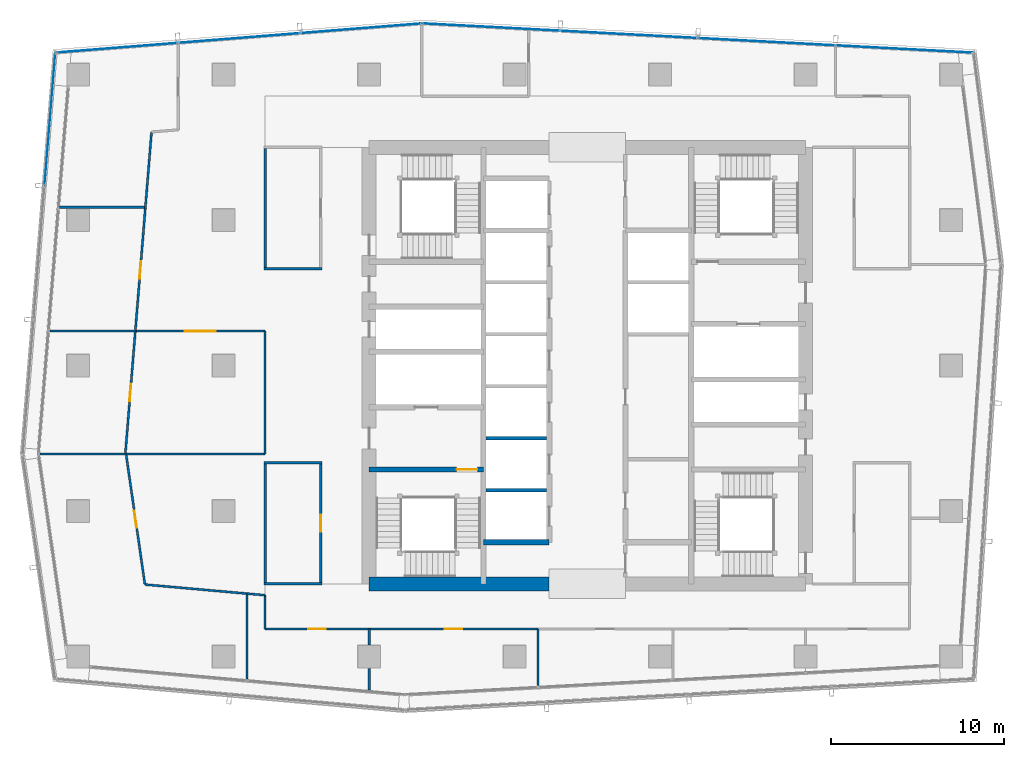
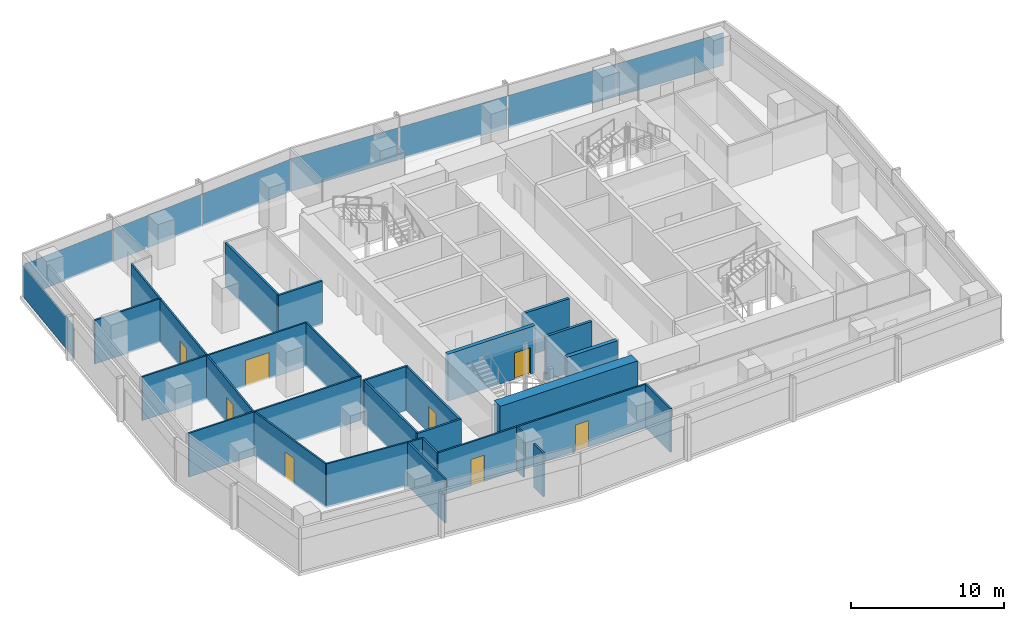
# One storey, part 22 of 30: 30 walls, 8 doors, 8 plates, 8 openings, 3 elements without a shape of their own.
"""IFC4 building model written with IfcOpenShell, lengths in metres."""

from ifc_helpers import new_model, si_unit, direction, frame, frame_2d, origin, origin_2d, place, context, subcontext, project, spatial, rectangle, extrude, material, layer, layer_set, type_object, element, fill, aggregate, save


model = new_model("IFC4")

# Units and contexts
model_context = context("Model", 3, precision=1e-05, world=origin(), true_north=direction((0.0, 1.0)))
body_context = subcontext(model_context, "Body", "Model", "MODEL_VIEW")
ifc_project = project(units=[si_unit("LENGTHUNIT", "METRE"), si_unit("AREAUNIT", "SQUARE_METRE"), si_unit("VOLUMEUNIT", "CUBIC_METRE"), si_unit("PLANEANGLEUNIT", "RADIAN"), si_unit("MASSUNIT", "GRAM", prefix="KILO")], contexts=[model_context])

# Site, building, storey
site_placement = place(None, origin())
site = spatial("IfcSite", under=ifc_project, at=site_placement, CompositionType="ELEMENT")
building_placement = place(site_placement, origin())
building = spatial("IfcBuilding", under=site, at=building_placement, Name="Rekha Terrace Tower", CompositionType="ELEMENT")
storey_placement = place(building_placement, frame((0.0, 0.0, 265.10009765625)))
storey = spatial("IfcBuildingStorey", under=building, at=storey_placement, Name="L67", CompositionType="ELEMENT", Elevation=265.10009765625)

# Curtain wall, plate
ifc_material_1 = material(Name="Aluminium framing", Category="aluminium")
curtain_wall_type_1 = type_object("IfcCurtainWallType", Name="CW2 double skin outer glazing", PredefinedType="USERDEFINED", material=ifc_material_1)
curtain_wall_1_placement = place(storey_placement, origin())
curtain_wall_1 = element("IfcCurtainWall", 1, at=curtain_wall_1_placement, inside=storey, type_object=curtain_wall_type_1, Name="CW2 double skin outer glazing", ObjectType="DOUBLE SKIN OUTER GLAZING", PredefinedType="USERDEFINED")
ifc_material_2 = material(Name="Toughened single glazing 12", Category="glass")
ifc_layer_1 = layer(ifc_material_2, 0.011962890625)
ifc_layer_set_1 = layer_set([ifc_layer_1], Name="Toughened single glazing 12")
plate_type_1 = type_object("IfcPlateType", Name="CW2 jumbo vision panel, toughened single glazing 12", PredefinedType="CURTAIN_PANEL", material=ifc_layer_set_1)
plate_1_placement = place(storey_placement, frame((6.7822265625, 47.813720703125, -0.000244140625), z_axis=(0.0, 0.0, 1.0), x_axis=(-0.081067906816, -0.996708580521, 0.0)))
plate_1 = element("IfcPlate", 2, at=plate_1_placement, type_object=plate_type_1, Name="CW2 panel 1.1", PredefinedType="CURTAIN_PANEL", context=body_context, shape_type="SweptSolid", body=[
    extrude(rectangle(XDim=7.640869140625, YDim=0.011962890625, at=origin_2d()), origin(), (0.0, 0.0, 1.0), 2.60009765625),
])
aggregate(curtain_wall_1, [plate_1])

# Curtain wall, plates
curtain_wall_type_2 = type_object("IfcCurtainWallType", Name="CW3 north unitised glazing", PredefinedType="USERDEFINED", material=ifc_material_1)
curtain_wall_2_placement = place(storey_placement, origin())
curtain_wall_2 = element("IfcCurtainWall", 3, at=curtain_wall_2_placement, inside=storey, type_object=curtain_wall_type_2, Name="CW3 unitised curtain wall", ObjectType="UNITISED CURTAIN WALL", PredefinedType="USERDEFINED")
ifc_material_3 = material(Name="Double-glazed unit 28", Category="glass")
ifc_layer_2 = layer(ifc_material_3, 0.028076171875)
ifc_layer_set_2 = layer_set([ifc_layer_2], Name="Double-glazed unit 28")
plate_type_2 = type_object("IfcPlateType", Name="CW3 jumbo vision panel, double-glazed unit 28", PredefinedType="CURTAIN_PANEL", material=ifc_layer_set_2)
plate_2_placement = place(storey_placement, frame((56.080322265625, 51.871337890625, -0.000244140625), z_axis=(0.0, 0.0, 1.0), x_axis=(-0.998590089005, 0.053083275524, 0.0)))
plate_2 = element("IfcPlate", 4, at=plate_2_placement, type_object=plate_type_2, Name="CW3 panel 1.1", PredefinedType="CURTAIN_PANEL", context=body_context, shape_type="SweptSolid", body=[
    extrude(rectangle(XDim=7.856201171875, YDim=0.028076171875, at=origin_2d()), origin(), (0.0, 0.0, 1.0), 2.60009765625),
])
plate_3_placement = place(storey_placement, frame((48.14794921875, 52.29296875, -0.000244140625), z_axis=(0.0, 0.0, 1.0), x_axis=(-0.998590089005, 0.053083275524, 0.0)))
plate_3 = element("IfcPlate", 5, at=plate_3_placement, type_object=plate_type_2, Name="CW3 panel 2.1", PredefinedType="CURTAIN_PANEL", context=body_context, shape_type="SweptSolid", body=[
    extrude(rectangle(XDim=7.891357421875, YDim=0.028076171875, at=origin_2d()), origin(), (0.0, 0.0, 1.0), 2.60009765625),
])
plate_4_placement = place(storey_placement, frame((40.19775390625, 52.715576171875, -0.000244140625), z_axis=(0.0, 0.0, 1.0), x_axis=(-0.998590089005, 0.053083275524, 0.0)))
plate_4 = element("IfcPlate", 6, at=plate_4_placement, type_object=plate_type_2, Name="CW3 panel 3.1", PredefinedType="CURTAIN_PANEL", context=body_context, shape_type="SweptSolid", body=[
    extrude(rectangle(XDim=7.891357421875, YDim=0.028076171875, at=origin_2d()), origin(), (0.0, 0.0, 1.0), 2.60009765625),
])
plate_5_placement = place(storey_placement, frame((32.230224609375, 53.13916015625, -0.000244140625), z_axis=(0.0, 0.0, 1.0), x_axis=(-0.998590089005, 0.053083275524, 0.0)))
plate_5 = element("IfcPlate", 7, at=plate_5_placement, type_object=plate_type_2, Name="CW3 panel 4.1", PredefinedType="CURTAIN_PANEL", context=body_context, shape_type="SweptSolid", body=[
    extrude(rectangle(XDim=7.92626953125, YDim=0.028076171875, at=origin_2d()), origin(), (0.0, 0.0, 1.0), 2.60009765625),
])
aggregate(curtain_wall_2, [plate_2, plate_3, plate_4, plate_5])

curtain_wall_3_placement = place(storey_placement, origin())
curtain_wall_3 = element("IfcCurtainWall", 8, at=curtain_wall_3_placement, inside=storey, type_object=curtain_wall_type_2, Name="CW3 unitised curtain wall", ObjectType="UNITISED CURTAIN WALL", PredefinedType="USERDEFINED")
plate_6_placement = place(storey_placement, frame((24.732421875, 53.0673828125, -0.000244140625), z_axis=(0.0, 0.0, 1.0), x_axis=(-0.996836058026, -0.07948505154, 0.0)))
plate_6 = element("IfcPlate", 9, at=plate_6_placement, type_object=plate_type_2, Name="CW3 panel 1.1", PredefinedType="CURTAIN_PANEL", context=body_context, shape_type="SweptSolid", body=[
    extrude(rectangle(XDim=6.963134765625, YDim=0.028076171875, at=origin_2d()), origin(), (0.0, 0.0, 1.0), 2.60009765625),
])
plate_7_placement = place(storey_placement, frame((17.7041015625, 52.5068359375, -0.000244140625), z_axis=(0.0, 0.0, 1.0), x_axis=(-0.996836058026, -0.07948505154, 0.0)))
plate_7 = element("IfcPlate", 10, at=plate_7_placement, type_object=plate_type_2, Name="CW3 panel 2.1", PredefinedType="CURTAIN_PANEL", context=body_context, shape_type="SweptSolid", body=[
    extrude(rectangle(XDim=6.998046875, YDim=0.028076171875, at=origin_2d()), origin(), (0.0, 0.0, 1.0), 2.60009765625),
])
plate_8_placement = place(storey_placement, frame((10.67578125, 51.946533203125, -0.000244140625), z_axis=(0.0, 0.0, 1.0), x_axis=(-0.996836058026, -0.07948505154, 0.0)))
plate_8 = element("IfcPlate", 11, at=plate_8_placement, type_object=plate_type_2, Name="CW3 panel 3.1", PredefinedType="CURTAIN_PANEL", context=body_context, shape_type="SweptSolid", body=[
    extrude(rectangle(XDim=6.963134765625, YDim=0.028076171875, at=origin_2d()), origin(), (0.0, 0.0, 1.0), 2.60009765625),
])
aggregate(curtain_wall_3, [plate_6, plate_7, plate_8])

# Wall
ifc_material_4 = material(Name="Concrete M60", Category="concrete")
ifc_layer_3 = layer(ifc_material_4, 0.300048828125)
ifc_layer_set_3 = layer_set([ifc_layer_3], Name="Concrete M60")
wall_type_1 = type_object("IfcWallType", Name="CI5 300 core internal shear wall", PredefinedType="SHEAR", material=ifc_layer_set_3)
wall_1_placement = place(storey_placement, frame((31.800048828125, 23.39990234375, 0.0), z_axis=(0.0, 0.0, 1.0), x_axis=(1.0, 0.0, 0.0)))
element("IfcWall", 12, at=wall_1_placement, inside=storey, type_object=wall_type_1, Name="Core wall Y234W L67", PredefinedType="SHEAR", context=body_context, shape_type="SweptSolid", body=[
    extrude(rectangle(XDim=3.800048828125, YDim=0.300048828125, at=frame_2d((1.89990234375, 0.0))), origin(), (0.0, 0.0, 1.0), 3.75),
])

# Wall, opening, door
wall_2_placement = place(storey_placement, frame((25.199951171875, 27.60009765625, 0.0), z_axis=(0.0, 0.0, 1.0), x_axis=(1.0, 0.0, 0.0)))
wall_2 = element("IfcWall", 13, at=wall_2_placement, inside=storey, type_object=wall_type_1, Name="Core wall Y276W L67", PredefinedType="SHEAR", context=body_context, shape_type="SweptSolid", body=[
    extrude(rectangle(XDim=6.60009765625, YDim=0.300048828125, at=frame_2d((3.300048828125, 0.0))), origin(), (0.0, 0.0, 1.0), 3.75),
])
opening_1_placement = place(wall_2_placement, frame((5.050048828125, 0.0, 0.0)))
opening_1 = element("IfcOpeningElement", 14, at=opening_1_placement, cuts=wall_2, Name="Opening D1", PredefinedType="OPENING", context=body_context, shape_type="SweptSolid", body=[
    extrude(rectangle(XDim=1.199951171875, YDim=2.10009765625, at=frame_2d((0.60009765625, 1.050048828125))), frame((0.0, 0.159912109375, 0.0), z_axis=(0.0, -1.0, 0.0), x_axis=(1.0, 0.0, 0.0)), (0.0, 0.0, 1.0), 0.320068359375),
])
ifc_material_5 = material(Name="Steel fire door", Category="steel")
door_type_1 = type_object("IfcDoorType", Name="D1 1200x2100 stair fire door", OperationType="SINGLE_SWING_RIGHT", PredefinedType="DOOR", material=ifc_material_5)
door_1_placement = place(opening_1_placement, origin())
door_1 = element("IfcDoor", 15, at=door_1_placement, inside=storey, type_object=door_type_1, Name="Stair ST1 door L67", OperationType="SINGLE_SWING_RIGHT", OverallHeight=2.10009765625, OverallWidth=1.199951171875, PredefinedType="DOOR", context=body_context, shape_type="SweptSolid", body=[
    extrude(rectangle(XDim=1.199951171875, YDim=2.10009765625, at=frame_2d((0.60009765625, 1.050048828125))), frame((0.0, 0.02490234375, 0.0), z_axis=(0.0, -1.0, 0.0), x_axis=(1.0, 0.0, 0.0)), (0.0, 0.0, 1.0), 0.050048828125),
])
fill(opening_1, door_1)

# Walls
ifc_layer_4 = layer(ifc_material_4, 0.800048828125)
ifc_layer_set_4 = layer_set([ifc_layer_4], Name="Concrete M60")
wall_type_2 = type_object("IfcWallType", Name="SW5 800 core outer shear wall", PredefinedType="SHEAR", material=ifc_layer_set_4)
wall_3_placement = place(storey_placement, frame((25.199951171875, 21.0, 0.0), z_axis=(0.0, 0.0, 1.0), x_axis=(1.0, 0.0, 0.0)))
element("IfcWall", 16, at=wall_3_placement, inside=storey, type_object=wall_type_2, Name="Core wall S1 L67", PredefinedType="SHEAR", context=body_context, shape_type="SweptSolid", body=[
    extrude(rectangle(XDim=10.400146484375, YDim=0.800048828125, at=frame_2d((5.2001953125, 0.0))), origin(), (0.0, 0.0, 1.0), 3.75),
])
ifc_material_6 = material(Name="Concrete block masonry, 1 hour", Category="masonry")
ifc_layer_5 = layer(ifc_material_6, 0.14990234375)
ifc_layer_set_5 = layer_set([ifc_layer_5], Name="Concrete block masonry, 1 hour")
wall_type_3 = type_object("IfcWallType", Name="WP2 150 tenancy partition", PredefinedType="PARTITIONING", material=ifc_layer_set_5)
wall_4_placement = place(storey_placement, frame((19.125, 39.199951171875, 0.0), z_axis=(0.0, 0.0, 1.0), x_axis=(1.0, 0.0, 0.0)))
element("IfcWall", 17, at=wall_4_placement, inside=storey, type_object=wall_type_3, Name="Women's WC wall L67", PredefinedType="PARTITIONING", context=body_context, shape_type="SweptSolid", body=[
    extrude(rectangle(XDim=3.35009765625, YDim=0.14990234375, at=frame_2d((1.675048828125, 0.0))), origin(), (0.0, 0.0, 1.0), 3.5),
])
wall_5_placement = place(storey_placement, frame((19.199951171875, 39.27490234375, 0.0), z_axis=(0.0, 0.0, 1.0), x_axis=(0.0, 1.0, 0.0)))
element("IfcWall", 18, at=wall_5_placement, inside=storey, type_object=wall_type_3, Name="Women's WC wall L67", PredefinedType="PARTITIONING", context=body_context, shape_type="SweptSolid", body=[
    extrude(rectangle(XDim=6.85009765625, YDim=0.14990234375, at=frame_2d((3.425048828125, 0.0))), origin(), (0.0, 0.0, 1.0), 3.5),
])
for number, where, z_axis, x_axis, name in (
    (19, (19.125, 21.0, 0.0), (0.0, 0.0, 1.0), (1.0, 0.0, 0.0), "Men's WC wall L67"),
    (20, (19.125, 28.0, 0.0), (0.0, 0.0, 1.0), (1.0, 0.0, 0.0), "Men's WC wall L67"),
):
    element("IfcWall", number, at=place(storey_placement, frame(where, z_axis=z_axis, x_axis=x_axis)), inside=storey, type_object=wall_type_3, Name=name, PredefinedType="PARTITIONING", context=body_context, shape_type="SweptSolid", body=[
        extrude(rectangle(XDim=3.35009765625, YDim=0.14990234375, at=frame_2d((1.675048828125, 0.0))), origin(), (0.0, 0.0, 1.0), 3.5),
    ])
wall_6_placement = place(storey_placement, frame((19.199951171875, 21.074951171875, 0.0), z_axis=(0.0, 0.0, 1.0), x_axis=(0.0, 1.0, 0.0)))
element("IfcWall", 21, at=wall_6_placement, inside=storey, type_object=wall_type_3, Name="Men's WC wall L67", PredefinedType="PARTITIONING", context=body_context, shape_type="SweptSolid", body=[
    extrude(rectangle(XDim=6.85009765625, YDim=0.14990234375, at=frame_2d((3.425048828125, 0.0))), origin(), (0.0, 0.0, 1.0), 3.5),
])

# Wall, opening, door
wall_7_placement = place(storey_placement, frame((22.39990234375, 21.074951171875, 0.0), z_axis=(0.0, 0.0, 1.0), x_axis=(0.0, 1.0, 0.0)))
wall_7 = element("IfcWall", 22, at=wall_7_placement, inside=storey, type_object=wall_type_3, Name="Men's WC wall L67", PredefinedType="PARTITIONING", context=body_context, shape_type="SweptSolid", body=[
    extrude(rectangle(XDim=6.85009765625, YDim=0.14990234375, at=frame_2d((3.425048828125, 0.0))), origin(), (0.0, 0.0, 1.0), 3.5),
])
opening_2_placement = place(wall_7_placement, frame((2.925048828125, 0.0, 0.0)))
opening_2 = element("IfcOpeningElement", 23, at=opening_2_placement, cuts=wall_7, Name="Opening D3", PredefinedType="OPENING", context=body_context, shape_type="SweptSolid", body=[
    extrude(rectangle(XDim=1.0, YDim=2.10009765625, at=frame_2d((0.5, 1.050048828125))), frame((0.0, 0.0849609375, 0.0), z_axis=(0.0, -1.0, 0.0), x_axis=(1.0, 0.0, 0.0)), (0.0, 0.0, 1.0), 0.169921875),
])
ifc_material_7 = material(Name="Laminated timber fire door", Category="wood")
door_type_2 = type_object("IfcDoorType", Name="D3 1000x2100 WC door", OperationType="SINGLE_SWING_LEFT", PredefinedType="DOOR", material=ifc_material_7)
door_2_placement = place(opening_2_placement, origin())
door_2 = element("IfcDoor", 24, at=door_2_placement, inside=storey, type_object=door_type_2, Name="Door men's wc L67", OperationType="SINGLE_SWING_LEFT", OverallHeight=2.10009765625, OverallWidth=1.0, PredefinedType="DOOR", context=body_context, shape_type="SweptSolid", body=[
    extrude(rectangle(XDim=1.0, YDim=2.10009765625, at=frame_2d((0.5, 1.050048828125))), frame((0.0, 0.02490234375, 0.0), z_axis=(0.0, -1.0, 0.0), x_axis=(1.0, 0.0, 0.0)), (0.0, 0.0, 1.0), 0.050048828125),
])
fill(opening_2, door_2)

# Walls
ifc_material_8 = material(Name="Two layers of fire-rated gypsum board each side on steel studs, acoustic quilt, 1 hour", Category="steel")
ifc_layer_6 = layer(ifc_material_8, 0.125)
ifc_layer_set_6 = layer_set([ifc_layer_6], Name="Two layers of fire-rated gypsum board each side on steel studs, acoustic quilt, 1 hour")
wall_type_4 = type_object("IfcWallType", Name="WP3 125 office partition", PredefinedType="PARTITIONING", material=ifc_layer_set_6)
wall_8_placement = place(storey_placement, frame((12.22607421875, 42.741943359375, 0.0), z_axis=(0.0, 0.0, 1.0), x_axis=(-1.0, 0.0, 0.0)))
element("IfcWall", 25, at=wall_8_placement, inside=storey, type_object=wall_type_4, Name="Partition L67-05", PredefinedType="PARTITIONING", context=body_context, shape_type="SweptSolid", body=[
    extrude(rectangle(XDim=4.903076171875, YDim=0.125, at=frame_2d((2.45166015625, 0.0))), origin(), (0.0, 0.0, 1.0), 3.5),
])
wall_9_placement = place(storey_placement, frame((12.64306640625, 47.0869140625, 0.0), z_axis=(0.0, 0.0, 1.0), x_axis=(-0.081240627764, -0.996694517092, 0.0)))
element("IfcWall", 26, at=wall_9_placement, inside=storey, type_object=wall_type_4, Name="Partition L67-05", PredefinedType="PARTITIONING", context=body_context, shape_type="SweptSolid", body=[
    extrude(rectangle(XDim=4.444580078125, YDim=0.125, at=frame_2d((2.22216796875, 0.0))), origin(), (0.0, 0.0, 1.0), 3.5),
])

# Wall, opening, door
wall_10_placement = place(storey_placement, frame((12.281982421875, 42.656005859375, 0.0), z_axis=(0.0, 0.0, 1.0), x_axis=(-0.08110159124, -0.996705840205, 0.0)))
wall_10 = element("IfcWall", 27, at=wall_10_placement, inside=storey, type_object=wall_type_4, Name="Partition L67-06", PredefinedType="PARTITIONING", context=body_context, shape_type="SweptSolid", body=[
    extrude(rectangle(XDim=7.08935546875, YDim=0.125, at=frame_2d((3.544677734375, 0.0))), origin(), (0.0, 0.0, 1.0), 3.5),
])
opening_3_placement = place(wall_10_placement, frame((3.044921875, 0.0, 0.0)))
opening_3 = element("IfcOpeningElement", 28, at=opening_3_placement, cuts=wall_10, Name="Opening D9", PredefinedType="OPENING", context=body_context, shape_type="SweptSolid", body=[
    extrude(rectangle(XDim=1.0, YDim=2.10009765625, at=frame_2d((0.5, 1.050048828125))), frame((0.0, 0.072509765625, 0.0), z_axis=(0.0, -1.0, 0.0), x_axis=(1.0, 0.0, 0.0)), (0.0, 0.0, 1.0), 0.14501953125),
])
ifc_material_9 = material(Name="Timber fire door", Category="wood")
door_type_3 = type_object("IfcDoorType", Name="D9 1000x2100 office door", OperationType="SINGLE_SWING_LEFT", PredefinedType="DOOR", material=ifc_material_9)
door_3_placement = place(opening_3_placement, origin())
door_3 = element("IfcDoor", 29, at=door_3_placement, inside=storey, type_object=door_type_3, Name="Door wellness room L67", OperationType="SINGLE_SWING_LEFT", OverallHeight=2.10009765625, OverallWidth=1.0, PredefinedType="DOOR", context=body_context, shape_type="SweptSolid", body=[
    extrude(rectangle(XDim=1.0, YDim=2.10009765625, at=frame_2d((0.5, 1.050048828125))), frame((0.0, 0.02490234375, 0.0), z_axis=(0.0, -1.0, 0.0), x_axis=(1.0, 0.0, 0.0)), (0.0, 0.0, 1.0), 0.050048828125),
])
fill(opening_3, door_3)

# Walls
wall_11_placement = place(storey_placement, frame((11.70703125, 35.590087890625, 0.0), z_axis=(0.0, 0.0, 1.0), x_axis=(-1.0, 0.0, 0.0)))
element("IfcWall", 30, at=wall_11_placement, inside=storey, type_object=wall_type_4, Name="Partition L67-06", PredefinedType="PARTITIONING", context=body_context, shape_type="SweptSolid", body=[
    extrude(rectangle(XDim=4.93603515625, YDim=0.125, at=frame_2d((2.468017578125, 0.0))), origin(), (0.0, 0.0, 1.0), 3.5),
])
wall_12_placement = place(storey_placement, frame((34.947998046875, 15.114013671875, 0.0), z_axis=(0.0, 0.0, 1.0), x_axis=(0.0, 1.0, 0.0)))
element("IfcWall", 31, at=wall_12_placement, inside=storey, type_object=wall_type_4, Name="Partition L67-07", PredefinedType="PARTITIONING", context=body_context, shape_type="SweptSolid", body=[
    extrude(rectangle(XDim=3.285888671875, YDim=0.125, at=frame_2d((1.64306640625, 0.0))), origin(), (0.0, 0.0, 1.0), 3.5),
])
wall_13_placement = place(storey_placement, frame((6.200927734375, 28.490966796875, 0.0), z_axis=(0.0, 0.0, 1.0), x_axis=(1.0, 0.0, 0.0)))
element("IfcWall", 32, at=wall_13_placement, inside=storey, type_object=wall_type_4, Name="Partition L67-11", PredefinedType="PARTITIONING", context=body_context, shape_type="SweptSolid", body=[
    extrude(rectangle(XDim=4.928955078125, YDim=0.125, at=frame_2d((2.46435546875, 0.0))), origin(), (0.0, 0.0, 1.0), 3.5),
])

# Wall, opening, door
wall_14_placement = place(storey_placement, frame((11.181884765625, 28.427978515625, 0.0), z_axis=(0.0, 0.0, 1.0), x_axis=(0.143047767318, -0.9897157856, 0.0)))
wall_14 = element("IfcWall", 33, at=wall_14_placement, inside=storey, type_object=wall_type_4, Name="Partition L67-11", PredefinedType="PARTITIONING", context=body_context, shape_type="SweptSolid", body=[
    extrude(rectangle(XDim=7.543701171875, YDim=0.125, at=frame_2d((3.77197265625, 0.0))), origin(), (0.0, 0.0, 1.0), 3.5),
])
opening_4_placement = place(wall_14_placement, frame((3.240966796875, 0.0, 0.0)))
opening_4 = element("IfcOpeningElement", 34, at=opening_4_placement, cuts=wall_14, Name="Opening D9", PredefinedType="OPENING", context=body_context, shape_type="SweptSolid", body=[
    extrude(rectangle(XDim=1.0, YDim=2.10009765625, at=frame_2d((0.5, 1.050048828125))), frame((0.0, 0.072509765625, 0.0), z_axis=(0.0, -1.0, 0.0), x_axis=(1.0, 0.0, 0.0)), (0.0, 0.0, 1.0), 0.14501953125),
])
door_4_placement = place(opening_4_placement, origin())
door_4 = element("IfcDoor", 35, at=door_4_placement, inside=storey, type_object=door_type_3, Name="Door director's office L67", OperationType="SINGLE_SWING_LEFT", OverallHeight=2.10009765625, OverallWidth=1.0, PredefinedType="DOOR", context=body_context, shape_type="SweptSolid", body=[
    extrude(rectangle(XDim=1.0, YDim=2.10009765625, at=frame_2d((0.5, 1.050048828125))), frame((0.0, 0.02490234375, 0.0), z_axis=(0.0, -1.0, 0.0), x_axis=(1.0, 0.0, 0.0)), (0.0, 0.0, 1.0), 0.050048828125),
])
fill(opening_4, door_4)

# Walls
wall_15_placement = place(storey_placement, frame((12.260986328125, 20.9619140625, 0.0), z_axis=(0.0, 0.0, 1.0), x_axis=(0.996078951833, -0.08846876124, 0.0)))
element("IfcWall", 36, at=wall_15_placement, inside=storey, type_object=wall_type_4, Name="Partition L67-11", PredefinedType="PARTITIONING", context=body_context, shape_type="SweptSolid", body=[
    extrude(rectangle(XDim=5.9111328125, YDim=0.125, at=frame_2d((2.95556640625, 0.0))), origin(), (0.0, 0.0, 1.0), 3.5),
])
wall_16_placement = place(storey_placement, frame((18.14892578125, 20.43896484375, 0.0), z_axis=(0.0, 0.0, 1.0), x_axis=(0.0, -1.0, 0.0)))
element("IfcWall", 37, at=wall_16_placement, inside=storey, type_object=wall_type_4, Name="Partition L67-11", PredefinedType="PARTITIONING", context=body_context, shape_type="SweptSolid", body=[
    extrude(rectangle(XDim=4.93896484375, YDim=0.125, at=frame_2d((2.469482421875, 0.0))), origin(), (0.0, 0.0, 1.0), 3.5),
])
wall_17_placement = place(storey_placement, frame((18.14990234375, 20.43896484375, 0.0), z_axis=(0.0, 0.0, 1.0), x_axis=(0.996099374617, -0.088238517026, 0.0)))
element("IfcWall", 38, at=wall_17_placement, inside=storey, type_object=wall_type_4, Name="Partition L67-12", PredefinedType="PARTITIONING", context=body_context, shape_type="SweptSolid", body=[
    extrude(rectangle(XDim=1.05419921875, YDim=0.125, at=frame_2d((0.527099609375, 0.0))), origin(), (0.0, 0.0, 1.0), 3.5),
])
wall_18_placement = place(storey_placement, frame((19.199951171875, 20.345947265625, 0.0), z_axis=(0.0, 0.0, 1.0), x_axis=(0.0, -1.0, 0.0)))
element("IfcWall", 39, at=wall_18_placement, inside=storey, type_object=wall_type_4, Name="Partition L67-12", PredefinedType="PARTITIONING", context=body_context, shape_type="SweptSolid", body=[
    extrude(rectangle(XDim=1.946044921875, YDim=0.125, at=frame_2d((0.97314453125, 0.0))), origin(), (0.0, 0.0, 1.0), 3.5),
])

# Wall, opening, door
wall_19_placement = place(storey_placement, frame((19.199951171875, 18.39990234375, 0.0), z_axis=(0.0, 0.0, 1.0), x_axis=(1.0, 0.0, 0.0)))
wall_19 = element("IfcWall", 40, at=wall_19_placement, inside=storey, type_object=wall_type_4, Name="Partition L67-12", PredefinedType="PARTITIONING", context=body_context, shape_type="SweptSolid", body=[
    extrude(rectangle(XDim=6.006103515625, YDim=0.125, at=frame_2d((3.0029296875, 0.0))), origin(), (0.0, 0.0, 1.0), 3.5),
])
opening_5_placement = place(wall_19_placement, frame((2.5029296875, 0.0, 0.0)))
opening_5 = element("IfcOpeningElement", 41, at=opening_5_placement, cuts=wall_19, Name="Opening D9", PredefinedType="OPENING", context=body_context, shape_type="SweptSolid", body=[
    extrude(rectangle(XDim=1.0, YDim=2.10009765625, at=frame_2d((0.5, 1.050048828125))), frame((0.0, 0.072509765625, 0.0), z_axis=(0.0, -1.0, 0.0), x_axis=(1.0, 0.0, 0.0)), (0.0, 0.0, 1.0), 0.14501953125),
])
door_5_placement = place(opening_5_placement, origin())
door_5 = element("IfcDoor", 42, at=door_5_placement, inside=storey, type_object=door_type_3, Name="Door quiet room L67", OperationType="SINGLE_SWING_LEFT", OverallHeight=2.10009765625, OverallWidth=1.0, PredefinedType="DOOR", context=body_context, shape_type="SweptSolid", body=[
    extrude(rectangle(XDim=1.0, YDim=2.10009765625, at=frame_2d((0.5, 1.050048828125))), frame((0.0, 0.02490234375, 0.0), z_axis=(0.0, -1.0, 0.0), x_axis=(1.0, 0.0, 0.0)), (0.0, 0.0, 1.0), 0.050048828125),
])
fill(opening_5, door_5)

# Walls
wall_20_placement = place(storey_placement, frame((25.2060546875, 18.39990234375, 0.0), z_axis=(0.0, 0.0, 1.0), x_axis=(0.0, -1.0, 0.0)))
element("IfcWall", 43, at=wall_20_placement, inside=storey, type_object=wall_type_4, Name="Partition L67-12", PredefinedType="PARTITIONING", context=body_context, shape_type="SweptSolid", body=[
    extrude(rectangle(XDim=0.929931640625, YDim=0.125, at=frame_2d((0.46484375, 0.0))), origin(), (0.0, 0.0, 1.0), 3.5),
])
wall_21_placement = place(storey_placement, frame((25.2060546875, 16.1298828125, 0.0), z_axis=(0.0, 0.0, 1.0), x_axis=(0.0, -1.0, 0.0)))
element("IfcWall", 44, at=wall_21_placement, inside=storey, type_object=wall_type_4, Name="Partition L67-12", PredefinedType="PARTITIONING", context=body_context, shape_type="SweptSolid", body=[
    extrude(rectangle(XDim=1.2578125, YDim=0.125, at=frame_2d((0.62890625, 0.0))), origin(), (0.0, 0.0, 1.0), 3.5),
])

# Wall, opening, door
wall_22_placement = place(storey_placement, frame((25.20703125, 18.39990234375, 0.0), z_axis=(0.0, 0.0, 1.0), x_axis=(1.0, 0.0, 0.0)))
wall_22 = element("IfcWall", 45, at=wall_22_placement, inside=storey, type_object=wall_type_4, Name="Partition L67-13", PredefinedType="PARTITIONING", context=body_context, shape_type="SweptSolid", body=[
    extrude(rectangle(XDim=9.739990234375, YDim=0.125, at=frame_2d((4.8701171875, 0.0))), origin(), (0.0, 0.0, 1.0), 3.5),
])
opening_6_placement = place(wall_22_placement, frame((4.3701171875, 0.0, 0.0)))
opening_6 = element("IfcOpeningElement", 46, at=opening_6_placement, cuts=wall_22, Name="Opening D9", PredefinedType="OPENING", context=body_context, shape_type="SweptSolid", body=[
    extrude(rectangle(XDim=1.0, YDim=2.10009765625, at=frame_2d((0.5, 1.050048828125))), frame((0.0, 0.072509765625, 0.0), z_axis=(0.0, -1.0, 0.0), x_axis=(1.0, 0.0, 0.0)), (0.0, 0.0, 1.0), 0.14501953125),
])
door_6_placement = place(opening_6_placement, origin())
door_6 = element("IfcDoor", 47, at=door_6_placement, inside=storey, type_object=door_type_3, Name="Door wellness room L67", OperationType="SINGLE_SWING_LEFT", OverallHeight=2.10009765625, OverallWidth=1.0, PredefinedType="DOOR", context=body_context, shape_type="SweptSolid", body=[
    extrude(rectangle(XDim=1.0, YDim=2.10009765625, at=frame_2d((0.5, 1.050048828125))), frame((0.0, 0.02490234375, 0.0), z_axis=(0.0, -1.0, 0.0), x_axis=(1.0, 0.0, 0.0)), (0.0, 0.0, 1.0), 0.050048828125),
])
fill(opening_6, door_6)

wall_23_placement = place(storey_placement, frame((11.70703125, 35.590087890625, 0.0), z_axis=(0.0, 0.0, 1.0), x_axis=(-0.081031230988, -0.996711562893, 0.0)))
wall_23 = element("IfcWall", 48, at=wall_23_placement, inside=storey, type_object=wall_type_4, Name="Partition L67-14", PredefinedType="PARTITIONING", context=body_context, shape_type="SweptSolid", body=[
    extrude(rectangle(XDim=7.12255859375, YDim=0.125, at=frame_2d((3.561279296875, 0.0))), origin(), (0.0, 0.0, 1.0), 3.5),
])
opening_7_placement = place(wall_23_placement, frame((3.06103515625, 0.0, 0.0)))
opening_7 = element("IfcOpeningElement", 49, at=opening_7_placement, cuts=wall_23, Name="Opening D9", PredefinedType="OPENING", context=body_context, shape_type="SweptSolid", body=[
    extrude(rectangle(XDim=1.0, YDim=2.10009765625, at=frame_2d((0.5, 1.050048828125))), frame((0.0, 0.072509765625, 0.0), z_axis=(0.0, -1.0, 0.0), x_axis=(1.0, 0.0, 0.0)), (0.0, 0.0, 1.0), 0.14501953125),
])
door_7_placement = place(opening_7_placement, origin())
door_7 = element("IfcDoor", 50, at=door_7_placement, inside=storey, type_object=door_type_3, Name="Door board meeting room L67", OperationType="SINGLE_SWING_LEFT", OverallHeight=2.10009765625, OverallWidth=1.0, PredefinedType="DOOR", context=body_context, shape_type="SweptSolid", body=[
    extrude(rectangle(XDim=1.0, YDim=2.10009765625, at=frame_2d((0.5, 1.050048828125))), frame((0.0, 0.02490234375, 0.0), z_axis=(0.0, -1.0, 0.0), x_axis=(1.0, 0.0, 0.0)), (0.0, 0.0, 1.0), 0.050048828125),
])
fill(opening_7, door_7)

wall_24_placement = place(storey_placement, frame((11.70703125, 35.590087890625, 0.0), z_axis=(0.0, 0.0, 1.0), x_axis=(1.0, 0.0, 0.0)))
wall_24 = element("IfcWall", 51, at=wall_24_placement, inside=storey, type_object=wall_type_4, Name="Partition L67-15", PredefinedType="PARTITIONING", context=body_context, shape_type="SweptSolid", body=[
    extrude(rectangle(XDim=7.492919921875, YDim=0.125, at=frame_2d((3.74658203125, 0.0))), origin(), (0.0, 0.0, 1.0), 3.5),
])
opening_8_placement = place(wall_24_placement, frame((2.845947265625, 0.0, 0.0)))
opening_8 = element("IfcOpeningElement", 52, at=opening_8_placement, cuts=wall_24, Name="Opening D8", PredefinedType="OPENING", context=body_context, shape_type="SweptSolid", body=[
    extrude(rectangle(XDim=1.800048828125, YDim=2.10009765625, at=frame_2d((0.89990234375, 1.050048828125))), frame((0.0, 0.072509765625, 0.0), z_axis=(0.0, -1.0, 0.0), x_axis=(1.0, 0.0, 0.0)), (0.0, 0.0, 1.0), 0.14501953125),
])
door_type_4 = type_object("IfcDoorType", Name="D8 1800x2100 double leaf door", OperationType="DOUBLE_DOOR_SINGLE_SWING", PredefinedType="DOOR", material=ifc_material_9)
door_8_placement = place(opening_8_placement, origin())
door_8 = element("IfcDoor", 53, at=door_8_placement, inside=storey, type_object=door_type_4, Name="Door library L67", OperationType="DOUBLE_DOOR_SINGLE_SWING", OverallHeight=2.10009765625, OverallWidth=1.800048828125, PredefinedType="DOOR", context=body_context, shape_type="SweptSolid", body=[
    extrude(rectangle(XDim=1.800048828125, YDim=2.10009765625, at=frame_2d((0.89990234375, 1.050048828125))), frame((0.0, 0.02490234375, 0.0), z_axis=(0.0, -1.0, 0.0), x_axis=(1.0, 0.0, 0.0)), (0.0, 0.0, 1.0), 0.050048828125),
])
fill(opening_8, door_8)

# Walls
wall_25_placement = place(storey_placement, frame((19.199951171875, 35.590087890625, 0.0), z_axis=(0.0, 0.0, 1.0), x_axis=(0.0, -1.0, 0.0)))
element("IfcWall", 54, at=wall_25_placement, inside=storey, type_object=wall_type_4, Name="Partition L67-15", PredefinedType="PARTITIONING", context=body_context, shape_type="SweptSolid", body=[
    extrude(rectangle(XDim=7.09912109375, YDim=0.125, at=frame_2d((3.549560546875, 0.0))), origin(), (0.0, 0.0, 1.0), 3.5),
])
wall_26_placement = place(storey_placement, frame((19.199951171875, 28.490966796875, 0.0), z_axis=(0.0, 0.0, 1.0), x_axis=(-1.0, 0.0, 0.0)))
element("IfcWall", 55, at=wall_26_placement, inside=storey, type_object=wall_type_4, Name="Partition L67-15", PredefinedType="PARTITIONING", context=body_context, shape_type="SweptSolid", body=[
    extrude(rectangle(XDim=8.070068359375, YDim=0.125, at=frame_2d((4.03515625, 0.0))), origin(), (0.0, 0.0, 1.0), 3.5),
])
ifc_material_10 = material(Name="Solid concrete block masonry, 2 hour", Category="masonry")
ifc_layer_7 = layer(ifc_material_10, 0.199951171875)
ifc_layer_set_7 = layer_set([ifc_layer_7], Name="Solid concrete block masonry, 2 hour")
wall_type_5 = type_object("IfcWallType", Name="WS1 200 stair and shaft enclosure", PredefinedType="PARTITIONING", material=ifc_layer_set_7)
for number, where, z_axis, x_axis, name in (
    (56, (31.949951171875, 26.39990234375, 0.0), (0.0, 0.0, 1.0), (1.0, 0.0, 0.0), "Lift shaft divider L67"),
    (57, (31.949951171875, 29.39990234375, 0.0), (0.0, 0.0, 1.0), (1.0, 0.0, 0.0), "Lift shaft divider L67"),
):
    element("IfcWall", number, at=place(storey_placement, frame(where, z_axis=z_axis, x_axis=x_axis)), inside=storey, type_object=wall_type_5, Name=name, PredefinedType="PARTITIONING", context=body_context, shape_type="SweptSolid", body=[
        extrude(rectangle(XDim=3.5, YDim=0.199951171875, at=frame_2d((1.75, 0.0))), origin(), (0.0, 0.0, 1.0), 3.5),
    ])

save(model, "model.ifc")
